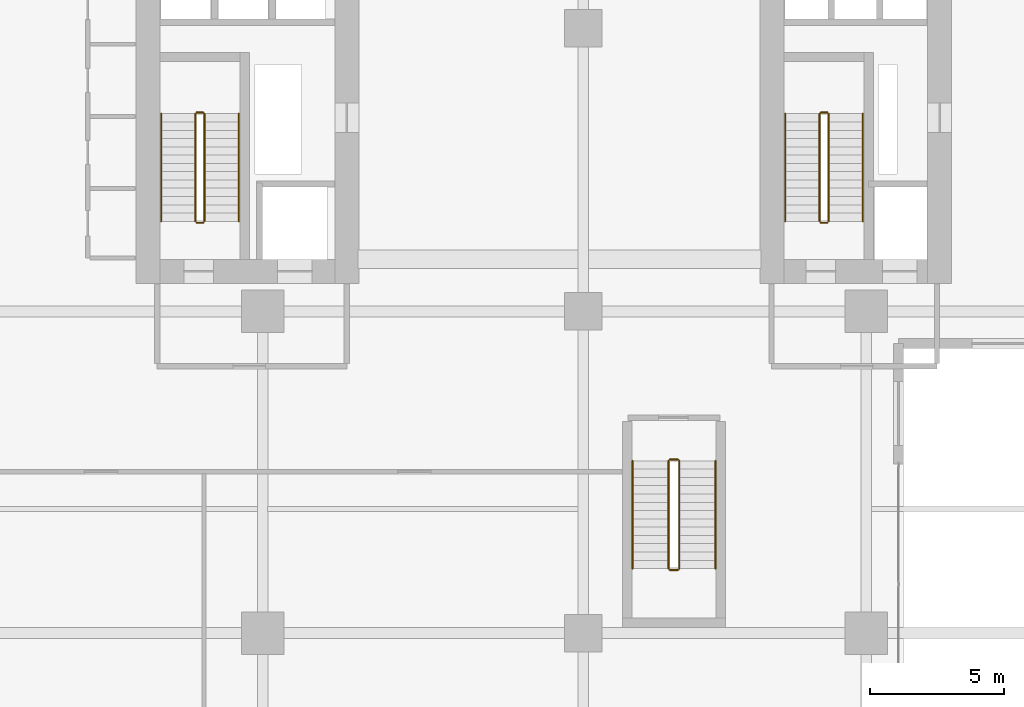
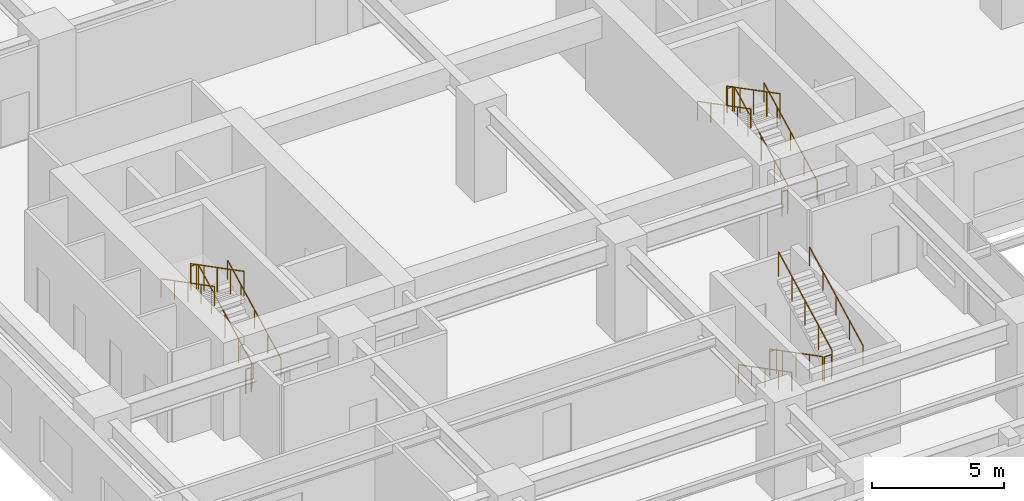
# One storey, part 25 of 26: 18 railings.
"""IFC4 building model written with IfcOpenShell, lengths in metres."""

from ifc_helpers import new_model, si_unit, direction, frame, origin, origin_2d, place, context, subcontext, project, spatial, circle, extrude, material, type_object, element, save


model = new_model("IFC4")

# Units and contexts
model_context = context("Model", 3, precision=1e-05, world=origin(), true_north=direction((0.0, 1.0)))
body_context = subcontext(model_context, "Body", "Model", "MODEL_VIEW")
ifc_project = project(units=[si_unit("LENGTHUNIT", "METRE"), si_unit("AREAUNIT", "SQUARE_METRE"), si_unit("VOLUMEUNIT", "CUBIC_METRE"), si_unit("PLANEANGLEUNIT", "RADIAN"), si_unit("MASSUNIT", "GRAM", prefix="KILO")], contexts=[model_context])

# Site, building, storey
site_placement = place(None, origin())
site = spatial("IfcSite", under=ifc_project, at=site_placement, CompositionType="ELEMENT")
building_placement = place(site_placement, origin())
building = spatial("IfcBuilding", under=site, at=building_placement, Name="Khoralis Quay Care Tower", CompositionType="ELEMENT")
storey_placement = place(building_placement, frame((0.0, 0.0, 13.5)))
storey = spatial("IfcBuildingStorey", under=building, at=storey_placement, Name="L03", CompositionType="ELEMENT", Elevation=13.5)

# Railings
ifc_material = material(Name="Brushed stainless steel", Category="steel")
railing_type_1 = type_object("IfcRailingType", Name="RL-GUARD-1150", PredefinedType="GUARDRAIL", material=ifc_material)
railing_1_placement = place(storey_placement, frame((9.820068359375, 16.77001953125, 0.16064453125)))
element("IfcRailing", 1, at=railing_1_placement, inside=storey, type_object=railing_type_1, Name="L03 ST-T1 stair guard 1", PredefinedType="GUARDRAIL", context=body_context, shape_type="SweptSolid", body=[
    extrude(circle(Radius=0.02392578125, at=origin_2d()), frame((0.0, 0.0, 1.1259765625), z_axis=(0.0, 0.887780577991, 0.46026692836), x_axis=(-1.0, 0.0, 0.0)), (0.0, 0.0, 1.0), 4.53955078125),
    extrude(circle(Radius=0.02099609375, at=origin_2d()), origin(), (0.0, 0.0, 1.0), 1.101806640625),
    extrude(circle(Radius=0.02099609375, at=origin_2d()), frame((0.0, 1.007568359375, 0.5224609375)), (0.0, 0.0, 1.0), 1.101806640625),
    extrude(circle(Radius=0.02099609375, at=origin_2d()), frame((0.0, 2.01513671875, 1.044677734375)), (0.0, 0.0, 1.0), 1.101806640625),
    extrude(circle(Radius=0.02099609375, at=origin_2d()), frame((0.0, 3.0224609375, 1.56689453125)), (0.0, 0.0, 1.0), 1.101806640625),
    extrude(circle(Radius=0.02099609375, at=origin_2d()), frame((0.0, 4.030029296875, 2.08935546875)), (0.0, 0.0, 1.0), 1.101806640625),
])
railing_2_placement = place(storey_placement, frame((9.77001953125, 20.85009765625, 2.25)))
element("IfcRailing", 2, at=railing_2_placement, inside=storey, type_object=railing_type_1, Name="L03 ST-T1 stair guard 2", PredefinedType="GUARDRAIL", context=body_context, shape_type="SweptSolid", body=[
    extrude(circle(Radius=0.02392578125, at=origin_2d()), frame((0.0, 0.0, 1.1259765625), z_axis=(-1.0, 0.0, 0.0), x_axis=(0.0, -1.0, 0.0)), (0.0, 0.0, 1.0), 0.239990234375),
    extrude(circle(Radius=0.02099609375, at=origin_2d()), origin(), (0.0, 0.0, 1.0), 1.101806640625),
    extrude(circle(Radius=0.02099609375, at=origin_2d()), frame((-0.239990234375, 0.0, 0.0)), (0.0, 0.0, 1.0), 1.101806640625),
])
railing_3_placement = place(storey_placement, frame((9.47998046875, 20.800048828125, 2.41064453125)))
element("IfcRailing", 3, at=railing_3_placement, inside=storey, type_object=railing_type_1, Name="L03 ST-T1 stair guard 3", PredefinedType="GUARDRAIL", context=body_context, shape_type="SweptSolid", body=[
    extrude(circle(Radius=0.02392578125, at=origin_2d()), frame((0.0, 0.0, 1.1259765625), z_axis=(0.0, -0.887780577991, 0.46026692836), x_axis=(1.0, 0.0, 0.0)), (0.0, 0.0, 1.0), 4.53955078125),
    extrude(circle(Radius=0.02099609375, at=origin_2d()), origin(), (0.0, 0.0, 1.0), 1.101806640625),
    extrude(circle(Radius=0.02099609375, at=origin_2d()), frame((0.0, -1.007568359375, 0.5224609375)), (0.0, 0.0, 1.0), 1.101806640625),
    extrude(circle(Radius=0.02099609375, at=origin_2d()), frame((0.0, -2.01513671875, 1.044677734375)), (0.0, 0.0, 1.0), 1.101806640625),
    extrude(circle(Radius=0.02099609375, at=origin_2d()), frame((0.0, -3.0224609375, 1.56689453125)), (0.0, 0.0, 1.0), 1.101806640625),
    extrude(circle(Radius=0.02099609375, at=origin_2d()), frame((0.0, -4.030029296875, 2.08935546875)), (0.0, 0.0, 1.0), 1.101806640625),
])
railing_4_placement = place(storey_placement, frame((9.77001953125, 16.719970703125, 0.0)))
element("IfcRailing", 4, at=railing_4_placement, inside=storey, type_object=railing_type_1, Name="L03 ST-T1 stair guard 4", PredefinedType="GUARDRAIL", context=body_context, shape_type="SweptSolid", body=[
    extrude(circle(Radius=0.02392578125, at=origin_2d()), frame((0.0, 0.0, 1.1259765625), z_axis=(-1.0, 0.0, 0.0), x_axis=(0.0, -1.0, 0.0)), (0.0, 0.0, 1.0), 0.239990234375),
    extrude(circle(Radius=0.02099609375, at=origin_2d()), origin(), (0.0, 0.0, 1.0), 1.101806640625),
    extrude(circle(Radius=0.02099609375, at=origin_2d()), frame((-0.239990234375, 0.0, 0.0)), (0.0, 0.0, 1.0), 1.101806640625),
])
railing_5_placement = place(storey_placement, frame((33.18994140625, 16.77001953125, 0.16064453125)))
element("IfcRailing", 5, at=railing_5_placement, inside=storey, type_object=railing_type_1, Name="L03 ST-T2 stair guard 1", PredefinedType="GUARDRAIL", context=body_context, shape_type="SweptSolid", body=[
    extrude(circle(Radius=0.02392578125, at=origin_2d()), frame((0.0, 0.0, 1.1259765625), z_axis=(0.0, 0.887780577991, 0.46026692836), x_axis=(-1.0, 0.0, 0.0)), (0.0, 0.0, 1.0), 4.53955078125),
    extrude(circle(Radius=0.02099609375, at=origin_2d()), origin(), (0.0, 0.0, 1.0), 1.101806640625),
    extrude(circle(Radius=0.02099609375, at=origin_2d()), frame((0.0, 1.007568359375, 0.5224609375)), (0.0, 0.0, 1.0), 1.101806640625),
    extrude(circle(Radius=0.02099609375, at=origin_2d()), frame((0.0, 2.01513671875, 1.044677734375)), (0.0, 0.0, 1.0), 1.101806640625),
    extrude(circle(Radius=0.02099609375, at=origin_2d()), frame((0.0, 3.0224609375, 1.56689453125)), (0.0, 0.0, 1.0), 1.101806640625),
    extrude(circle(Radius=0.02099609375, at=origin_2d()), frame((0.0, 4.030029296875, 2.08935546875)), (0.0, 0.0, 1.0), 1.101806640625),
])
railing_6_placement = place(storey_placement, frame((33.139892578125, 20.85009765625, 2.25)))
element("IfcRailing", 6, at=railing_6_placement, inside=storey, type_object=railing_type_1, Name="L03 ST-T2 stair guard 2", PredefinedType="GUARDRAIL", context=body_context, shape_type="SweptSolid", body=[
    extrude(circle(Radius=0.02392578125, at=origin_2d()), frame((0.0, 0.0, 1.1259765625), z_axis=(-1.0, 0.0, 0.0), x_axis=(0.0, -1.0, 0.0)), (0.0, 0.0, 1.0), 0.239990234375),
    extrude(circle(Radius=0.02099609375, at=origin_2d()), origin(), (0.0, 0.0, 1.0), 1.101806640625),
    extrude(circle(Radius=0.02099609375, at=origin_2d()), frame((-0.239990234375, 0.0, 0.0)), (0.0, 0.0, 1.0), 1.101806640625),
])
railing_7_placement = place(storey_placement, frame((32.85009765625, 20.800048828125, 2.41064453125)))
element("IfcRailing", 7, at=railing_7_placement, inside=storey, type_object=railing_type_1, Name="L03 ST-T2 stair guard 3", PredefinedType="GUARDRAIL", context=body_context, shape_type="SweptSolid", body=[
    extrude(circle(Radius=0.02392578125, at=origin_2d()), frame((0.0, 0.0, 1.1259765625), z_axis=(0.0, -0.887780577991, 0.46026692836), x_axis=(1.0, 0.0, 0.0)), (0.0, 0.0, 1.0), 4.53955078125),
    extrude(circle(Radius=0.02099609375, at=origin_2d()), origin(), (0.0, 0.0, 1.0), 1.101806640625),
    extrude(circle(Radius=0.02099609375, at=origin_2d()), frame((0.0, -1.007568359375, 0.5224609375)), (0.0, 0.0, 1.0), 1.101806640625),
    extrude(circle(Radius=0.02099609375, at=origin_2d()), frame((0.0, -2.01513671875, 1.044677734375)), (0.0, 0.0, 1.0), 1.101806640625),
    extrude(circle(Radius=0.02099609375, at=origin_2d()), frame((0.0, -3.0224609375, 1.56689453125)), (0.0, 0.0, 1.0), 1.101806640625),
    extrude(circle(Radius=0.02099609375, at=origin_2d()), frame((0.0, -4.030029296875, 2.08935546875)), (0.0, 0.0, 1.0), 1.101806640625),
])
railing_8_placement = place(storey_placement, frame((33.139892578125, 16.719970703125, 0.0)))
element("IfcRailing", 8, at=railing_8_placement, inside=storey, type_object=railing_type_1, Name="L03 ST-T2 stair guard 4", PredefinedType="GUARDRAIL", context=body_context, shape_type="SweptSolid", body=[
    extrude(circle(Radius=0.02392578125, at=origin_2d()), frame((0.0, 0.0, 1.1259765625), z_axis=(-1.0, 0.0, 0.0), x_axis=(0.0, -1.0, 0.0)), (0.0, 0.0, 1.0), 0.239990234375),
    extrude(circle(Radius=0.02099609375, at=origin_2d()), origin(), (0.0, 0.0, 1.0), 1.101806640625),
    extrude(circle(Radius=0.02099609375, at=origin_2d()), frame((-0.239990234375, 0.0, 0.0)), (0.0, 0.0, 1.0), 1.101806640625),
])
railing_9_placement = place(storey_placement, frame((27.199951171875, 7.800048828125, 0.16064453125)))
element("IfcRailing", 9, at=railing_9_placement, inside=storey, type_object=railing_type_1, Name="L03 ST-P1 stair guard 1", PredefinedType="GUARDRAIL", context=body_context, shape_type="SweptSolid", body=[
    extrude(circle(Radius=0.02392578125, at=origin_2d()), frame((0.0, 0.0, 1.1259765625), z_axis=(0.0, -0.887780577991, 0.46026692836), x_axis=(1.0, 0.0, 0.0)), (0.0, 0.0, 1.0), 4.53955078125),
    extrude(circle(Radius=0.02099609375, at=origin_2d()), origin(), (0.0, 0.0, 1.0), 1.101806640625),
    extrude(circle(Radius=0.02099609375, at=origin_2d()), frame((0.0, -1.007568359375, 0.5224609375)), (0.0, 0.0, 1.0), 1.101806640625),
    extrude(circle(Radius=0.02099609375, at=origin_2d()), frame((0.0, -2.01513671875, 1.044677734375)), (0.0, 0.0, 1.0), 1.101806640625),
    extrude(circle(Radius=0.02099609375, at=origin_2d()), frame((0.0, -3.0224609375, 1.56689453125)), (0.0, 0.0, 1.0), 1.101806640625),
    extrude(circle(Radius=0.02099609375, at=origin_2d()), frame((0.0, -4.030029296875, 2.08935546875)), (0.0, 0.0, 1.0), 1.101806640625),
])
railing_10_placement = place(storey_placement, frame((27.25, 3.719970703125, 2.25)))
element("IfcRailing", 10, at=railing_10_placement, inside=storey, type_object=railing_type_1, Name="L03 ST-P1 stair guard 2", PredefinedType="GUARDRAIL", context=body_context, shape_type="SweptSolid", body=[
    extrude(circle(Radius=0.02392578125, at=origin_2d()), frame((0.0, 0.0, 1.1259765625), z_axis=(1.0, 0.0, 0.0), x_axis=(0.0, 1.0, 0.0)), (0.0, 0.0, 1.0), 0.300048828125),
    extrude(circle(Radius=0.02099609375, at=origin_2d()), origin(), (0.0, 0.0, 1.0), 1.101806640625),
    extrude(circle(Radius=0.02099609375, at=origin_2d()), frame((0.300048828125, 0.0, 0.0)), (0.0, 0.0, 1.0), 1.101806640625),
])
railing_11_placement = place(storey_placement, frame((27.60009765625, 3.77001953125, 2.41064453125)))
element("IfcRailing", 11, at=railing_11_placement, inside=storey, type_object=railing_type_1, Name="L03 ST-P1 stair guard 3", PredefinedType="GUARDRAIL", context=body_context, shape_type="SweptSolid", body=[
    extrude(circle(Radius=0.02392578125, at=origin_2d()), frame((0.0, 0.0, 1.1259765625), z_axis=(0.0, 0.887780577991, 0.46026692836), x_axis=(-1.0, 0.0, 0.0)), (0.0, 0.0, 1.0), 4.53955078125),
    extrude(circle(Radius=0.02099609375, at=origin_2d()), origin(), (0.0, 0.0, 1.0), 1.101806640625),
    extrude(circle(Radius=0.02099609375, at=origin_2d()), frame((0.0, 1.007568359375, 0.5224609375)), (0.0, 0.0, 1.0), 1.101806640625),
    extrude(circle(Radius=0.02099609375, at=origin_2d()), frame((0.0, 2.01513671875, 1.044677734375)), (0.0, 0.0, 1.0), 1.101806640625),
    extrude(circle(Radius=0.02099609375, at=origin_2d()), frame((0.0, 3.0224609375, 1.56689453125)), (0.0, 0.0, 1.0), 1.101806640625),
    extrude(circle(Radius=0.02099609375, at=origin_2d()), frame((0.0, 4.030029296875, 2.08935546875)), (0.0, 0.0, 1.0), 1.101806640625),
])
railing_12_placement = place(storey_placement, frame((27.25, 7.85009765625, 0.0)))
element("IfcRailing", 12, at=railing_12_placement, inside=storey, type_object=railing_type_1, Name="L03 ST-P1 stair guard 4", PredefinedType="GUARDRAIL", context=body_context, shape_type="SweptSolid", body=[
    extrude(circle(Radius=0.02392578125, at=origin_2d()), frame((0.0, 0.0, 1.1259765625), z_axis=(1.0, 0.0, 0.0), x_axis=(0.0, 1.0, 0.0)), (0.0, 0.0, 1.0), 0.300048828125),
    extrude(circle(Radius=0.02099609375, at=origin_2d()), origin(), (0.0, 0.0, 1.0), 1.101806640625),
    extrude(circle(Radius=0.02099609375, at=origin_2d()), frame((0.300048828125, 0.0, 0.0)), (0.0, 0.0, 1.0), 1.101806640625),
])
railing_type_2 = type_object("IfcRailingType", Name="RL-HAND-900", PredefinedType="HANDRAIL", material=ifc_material)
railing_13_placement = place(storey_placement, frame((11.10009765625, 16.77001953125, 0.16064453125)))
element("IfcRailing", 13, at=railing_13_placement, inside=storey, type_object=railing_type_2, Name="L03 ST-T1 stair handrail 1", PredefinedType="HANDRAIL", context=body_context, shape_type="SweptSolid", body=[
    extrude(circle(Radius=0.02392578125, at=origin_2d()), frame((0.0, 0.0, 0.8759765625), z_axis=(0.0, 0.887780577991, 0.46026692836), x_axis=(-1.0, 0.0, 0.0)), (0.0, 0.0, 1.0), 4.53955078125),
    extrude(circle(Radius=0.02099609375, at=origin_2d()), origin(), (0.0, 0.0, 1.0), 0.851806640625),
    extrude(circle(Radius=0.02099609375, at=origin_2d()), frame((0.0, 1.007568359375, 0.5224609375)), (0.0, 0.0, 1.0), 0.851806640625),
    extrude(circle(Radius=0.02099609375, at=origin_2d()), frame((0.0, 2.01513671875, 1.044677734375)), (0.0, 0.0, 1.0), 0.851806640625),
    extrude(circle(Radius=0.02099609375, at=origin_2d()), frame((0.0, 3.0224609375, 1.56689453125)), (0.0, 0.0, 1.0), 0.851806640625),
    extrude(circle(Radius=0.02099609375, at=origin_2d()), frame((0.0, 4.030029296875, 2.08935546875)), (0.0, 0.0, 1.0), 0.851806640625),
])
railing_14_placement = place(storey_placement, frame((8.199951171875, 20.800048828125, 2.41064453125)))
element("IfcRailing", 14, at=railing_14_placement, inside=storey, type_object=railing_type_2, Name="L03 ST-T1 stair handrail 2", PredefinedType="HANDRAIL", context=body_context, shape_type="SweptSolid", body=[
    extrude(circle(Radius=0.02392578125, at=origin_2d()), frame((0.0, 0.0, 0.8759765625), z_axis=(0.0, -0.887780577991, 0.46026692836), x_axis=(1.0, 0.0, 0.0)), (0.0, 0.0, 1.0), 4.53955078125),
    extrude(circle(Radius=0.02099609375, at=origin_2d()), origin(), (0.0, 0.0, 1.0), 0.851806640625),
    extrude(circle(Radius=0.02099609375, at=origin_2d()), frame((0.0, -1.007568359375, 0.5224609375)), (0.0, 0.0, 1.0), 0.851806640625),
    extrude(circle(Radius=0.02099609375, at=origin_2d()), frame((0.0, -2.01513671875, 1.044677734375)), (0.0, 0.0, 1.0), 0.851806640625),
    extrude(circle(Radius=0.02099609375, at=origin_2d()), frame((0.0, -3.0224609375, 1.56689453125)), (0.0, 0.0, 1.0), 0.851806640625),
    extrude(circle(Radius=0.02099609375, at=origin_2d()), frame((0.0, -4.030029296875, 2.08935546875)), (0.0, 0.0, 1.0), 0.851806640625),
])
railing_15_placement = place(storey_placement, frame((34.469970703125, 16.77001953125, 0.16064453125)))
element("IfcRailing", 15, at=railing_15_placement, inside=storey, type_object=railing_type_2, Name="L03 ST-T2 stair handrail 1", PredefinedType="HANDRAIL", context=body_context, shape_type="SweptSolid", body=[
    extrude(circle(Radius=0.02392578125, at=origin_2d()), frame((0.0, 0.0, 0.8759765625), z_axis=(0.0, 0.887780577991, 0.46026692836), x_axis=(-1.0, 0.0, 0.0)), (0.0, 0.0, 1.0), 4.53955078125),
    extrude(circle(Radius=0.02099609375, at=origin_2d()), origin(), (0.0, 0.0, 1.0), 0.851806640625),
    extrude(circle(Radius=0.02099609375, at=origin_2d()), frame((0.0, 1.007568359375, 0.5224609375)), (0.0, 0.0, 1.0), 0.851806640625),
    extrude(circle(Radius=0.02099609375, at=origin_2d()), frame((0.0, 2.01513671875, 1.044677734375)), (0.0, 0.0, 1.0), 0.851806640625),
    extrude(circle(Radius=0.02099609375, at=origin_2d()), frame((0.0, 3.0224609375, 1.56689453125)), (0.0, 0.0, 1.0), 0.851806640625),
    extrude(circle(Radius=0.02099609375, at=origin_2d()), frame((0.0, 4.030029296875, 2.08935546875)), (0.0, 0.0, 1.0), 0.851806640625),
])
for number, where, name in (
    (16, (31.570068359375, 20.800048828125, 2.41064453125), "L03 ST-T2 stair handrail 2"),
    (17, (25.85009765625, 7.800048828125, 0.16064453125), "L03 ST-P1 stair handrail 1"),
):
    element("IfcRailing", number, at=place(storey_placement, frame(where)), inside=storey, type_object=railing_type_2, Name=name, PredefinedType="HANDRAIL", context=body_context, shape_type="SweptSolid", body=[
        extrude(circle(Radius=0.02392578125, at=origin_2d()), frame((0.0, 0.0, 0.8759765625), z_axis=(0.0, -0.887780577991, 0.46026692836), x_axis=(1.0, 0.0, 0.0)), (0.0, 0.0, 1.0), 4.53955078125),
        extrude(circle(Radius=0.02099609375, at=origin_2d()), origin(), (0.0, 0.0, 1.0), 0.851806640625),
        extrude(circle(Radius=0.02099609375, at=origin_2d()), frame((0.0, -1.007568359375, 0.5224609375)), (0.0, 0.0, 1.0), 0.851806640625),
        extrude(circle(Radius=0.02099609375, at=origin_2d()), frame((0.0, -2.01513671875, 1.044677734375)), (0.0, 0.0, 1.0), 0.851806640625),
        extrude(circle(Radius=0.02099609375, at=origin_2d()), frame((0.0, -3.0224609375, 1.56689453125)), (0.0, 0.0, 1.0), 0.851806640625),
        extrude(circle(Radius=0.02099609375, at=origin_2d()), frame((0.0, -4.030029296875, 2.08935546875)), (0.0, 0.0, 1.0), 0.851806640625),
    ])
railing_16_placement = place(storey_placement, frame((28.949951171875, 3.77001953125, 2.41064453125)))
element("IfcRailing", 18, at=railing_16_placement, inside=storey, type_object=railing_type_2, Name="L03 ST-P1 stair handrail 2", PredefinedType="HANDRAIL", context=body_context, shape_type="SweptSolid", body=[
    extrude(circle(Radius=0.02392578125, at=origin_2d()), frame((0.0, 0.0, 0.8759765625), z_axis=(0.0, 0.887780577991, 0.46026692836), x_axis=(-1.0, 0.0, 0.0)), (0.0, 0.0, 1.0), 4.53955078125),
    extrude(circle(Radius=0.02099609375, at=origin_2d()), origin(), (0.0, 0.0, 1.0), 0.851806640625),
    extrude(circle(Radius=0.02099609375, at=origin_2d()), frame((0.0, 1.007568359375, 0.5224609375)), (0.0, 0.0, 1.0), 0.851806640625),
    extrude(circle(Radius=0.02099609375, at=origin_2d()), frame((0.0, 2.01513671875, 1.044677734375)), (0.0, 0.0, 1.0), 0.851806640625),
    extrude(circle(Radius=0.02099609375, at=origin_2d()), frame((0.0, 3.0224609375, 1.56689453125)), (0.0, 0.0, 1.0), 0.851806640625),
    extrude(circle(Radius=0.02099609375, at=origin_2d()), frame((0.0, 4.030029296875, 2.08935546875)), (0.0, 0.0, 1.0), 0.851806640625),
])

save(model, "model.ifc")
